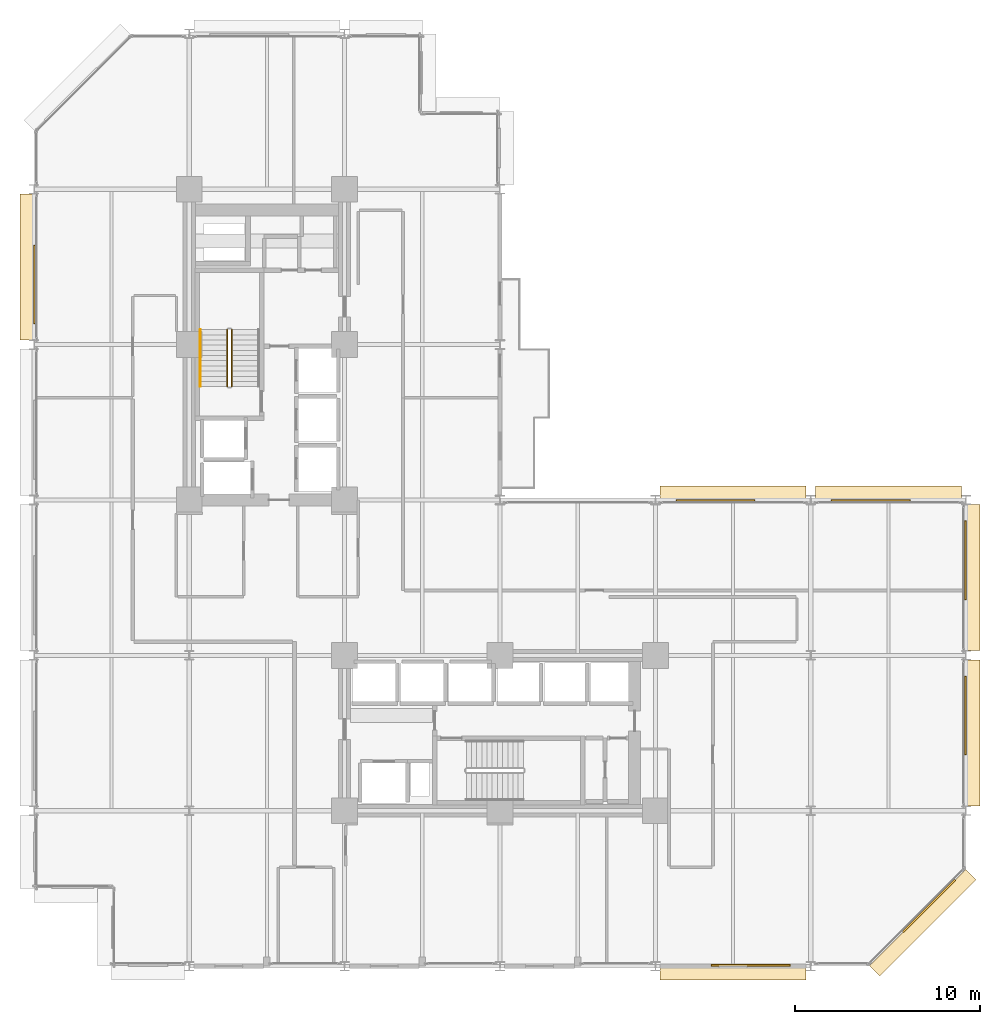
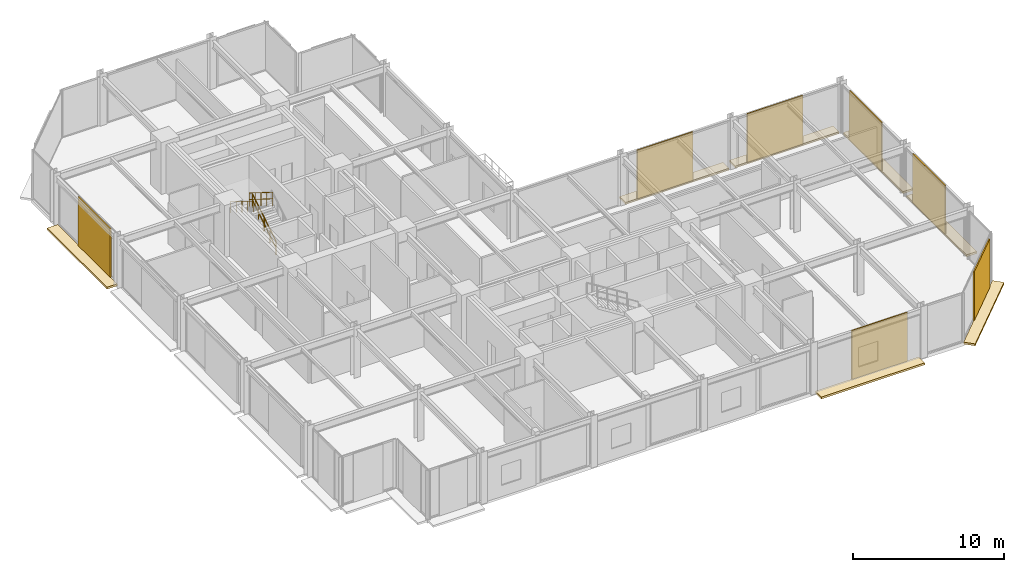
# One storey, part 24 of 25: 14 coverings, 3 railings.
"""IFC4 building model written with IfcOpenShell, lengths in metres."""

from ifc_helpers import new_model, si_unit, direction, frame, origin, origin_2d, place, context, subcontext, project, spatial, polyline, rectangle, circle, outline, extrude, material, layer, layer_set, type_object, element, save


model = new_model("IFC4")

# Units and contexts
model_context = context("Model", 3, precision=1e-05, world=origin(), true_north=direction((0.0, 1.0)))
body_context = subcontext(model_context, "Body", "Model", "MODEL_VIEW")
ifc_project = project(units=[si_unit("LENGTHUNIT", "METRE"), si_unit("AREAUNIT", "SQUARE_METRE"), si_unit("VOLUMEUNIT", "CUBIC_METRE"), si_unit("PLANEANGLEUNIT", "RADIAN"), si_unit("MASSUNIT", "GRAM", prefix="KILO")], contexts=[model_context])

# Site, building, storey
site_placement = place(None, origin())
site = spatial("IfcSite", under=ifc_project, at=site_placement, CompositionType="ELEMENT")
building_placement = place(site_placement, origin())
building = spatial("IfcBuilding", under=site, at=building_placement, Name="Nerrivon Quay Data Exchange", CompositionType="ELEMENT")
storey_placement = place(building_placement, frame((0.0, 0.0, 54.199951171875)))
storey = spatial("IfcBuildingStorey", under=building, at=storey_placement, Name="L12", CompositionType="ELEMENT", Elevation=54.199951171875)

# Coverings
ifc_material_1 = material(Name="Architectural terracotta ceramic", Category="masonry")
ifc_layer_1 = layer(ifc_material_1, 0.159912109375)
ifc_layer_set_1 = layer_set([ifc_layer_1], Name="Architectural terracotta ceramic")
covering_type_1 = type_object("IfcCoveringType", Name="COV-BLD-TERR", PredefinedType="CLADDING", material=ifc_layer_set_1)
covering_1_placement = place(storey_placement, frame((0.0, 0.0, -0.159912109375)))
element("IfcCovering", 1, at=covering_1_placement, inside=storey, type_object=covering_type_1, Name="L12 Horizontal Terracotta SOLAR SCREEN Blade", PredefinedType="CLADDING", context=body_context, shape_type="SweptSolid", body=[
    extrude(outline(polyline([(50.37158203125, 5.228271484375), (45.171630859375, 0.0283203125), (45.730224609375, -0.5302734375), (50.930419921875, 4.669677734375), (50.37158203125, 5.228271484375)])), origin(), (0.0, 0.0, 1.0), 0.159912109375),
])
covering_2_placement = place(storey_placement, frame((0.0, 0.0, -0.159912109375)))
element("IfcCovering", 2, at=covering_2_placement, inside=storey, type_object=covering_type_1, Name="L12 Horizontal Terracotta SOLAR SCREEN Blade", PredefinedType="CLADDING", context=body_context, shape_type="SweptSolid", body=[
    extrude(outline(polyline([(41.75, 0.0400390625), (33.85009765625, 0.0400390625), (33.85009765625, -0.75), (41.75, -0.75), (41.75, 0.0400390625)])), origin(), (0.0, 0.0, 1.0), 0.159912109375),
])
covering_3_placement = place(storey_placement, frame((0.0, 0.0, -0.159912109375)))
element("IfcCovering", 3, at=covering_3_placement, inside=storey, type_object=covering_type_1, Name="L12 Horizontal Terracotta SOLAR SCREEN Blade", PredefinedType="CLADDING", context=body_context, shape_type="SweptSolid", body=[
    extrude(outline(polyline([(0.0400390625, 33.85009765625), (0.0400390625, 41.75), (-0.75, 41.75), (-0.75, 33.85009765625), (0.0400390625, 33.85009765625)])), origin(), (0.0, 0.0, 1.0), 0.159912109375),
])
covering_4_placement = place(storey_placement, frame((0.0, 0.0, -0.159912109375)))
element("IfcCovering", 4, at=covering_4_placement, inside=storey, type_object=covering_type_1, Name="L12 Horizontal Terracotta SOLAR SCREEN Blade", PredefinedType="CLADDING", context=body_context, shape_type="SweptSolid", body=[
    extrude(outline(polyline([(33.85009765625, 25.159912109375), (41.75, 25.159912109375), (41.75, 25.949951171875), (33.85009765625, 25.949951171875), (33.85009765625, 25.159912109375)])), origin(), (0.0, 0.0, 1.0), 0.159912109375),
])
covering_5_placement = place(storey_placement, frame((0.0, 0.0, -0.159912109375)))
element("IfcCovering", 5, at=covering_5_placement, inside=storey, type_object=covering_type_1, Name="L12 Horizontal Terracotta SOLAR SCREEN Blade", PredefinedType="CLADDING", context=body_context, shape_type="SweptSolid", body=[
    extrude(outline(polyline([(42.25, 25.159912109375), (50.14990234375, 25.159912109375), (50.14990234375, 25.949951171875), (42.25, 25.949951171875), (42.25, 25.159912109375)])), origin(), (0.0, 0.0, 1.0), 0.159912109375),
])
covering_6_placement = place(storey_placement, frame((0.0, 0.0, -0.159912109375)))
element("IfcCovering", 6, at=covering_6_placement, inside=storey, type_object=covering_type_1, Name="L12 Horizontal Terracotta SOLAR SCREEN Blade", PredefinedType="CLADDING", context=body_context, shape_type="SweptSolid", body=[
    extrude(outline(polyline([(50.360107421875, 24.949951171875), (50.360107421875, 17.050048828125), (51.14990234375, 17.050048828125), (51.14990234375, 24.949951171875), (50.360107421875, 24.949951171875)])), origin(), (0.0, 0.0, 1.0), 0.159912109375),
])
covering_7_placement = place(storey_placement, frame((0.0, 0.0, -0.159912109375)))
element("IfcCovering", 7, at=covering_7_placement, inside=storey, type_object=covering_type_1, Name="L12 Horizontal Terracotta SOLAR SCREEN Blade", PredefinedType="CLADDING", context=body_context, shape_type="SweptSolid", body=[
    extrude(outline(polyline([(50.360107421875, 16.550048828125), (50.360107421875, 8.64990234375), (51.14990234375, 8.64990234375), (51.14990234375, 16.550048828125), (50.360107421875, 16.550048828125)])), origin(), (0.0, 0.0, 1.0), 0.159912109375),
])
ifc_layer_2 = layer(ifc_material_1, 0.090087890625)
ifc_layer_set_2 = layer_set([ifc_layer_2], Name="Architectural terracotta ceramic")
covering_type_2 = type_object("IfcCoveringType", Name="COV-SCR-TERR", PredefinedType="CLADDING", material=ifc_layer_set_2)
covering_8_placement = place(storey_placement, frame((48.39208984375, 3.255859375, 0.0), z_axis=(0.0, 0.0, 1.0), x_axis=(-0.707106781187, -0.707106781187, 0.0)))
element("IfcCovering", 8, at=covering_8_placement, inside=storey, type_object=covering_type_2, Name="L12 Perforated Terracotta SOLAR SCREEN Cassette", PredefinedType="CLADDING", context=body_context, shape_type="SweptSolid", body=[
    extrude(rectangle(XDim=3.970947265625, YDim=0.090087890625, at=origin_2d()), origin(), (0.0, 0.0, 1.0), 3.925048828125),
])
for number, where, z_axis, x_axis, name in (
    (9, (38.748046875, 0.044921875, 0.0), (0.0, 0.0, 1.0), (-1.0, 0.0, 0.0), "L12 Perforated Terracotta SOLAR SCREEN Cassette"),
    (10, (0.044921875, 36.85205078125, 0.0), (0.0, 0.0, 1.0), (0.0, 1.0, 0.0), "L12 Perforated Terracotta SOLAR SCREEN Cassette"),
    (11, (36.85205078125, 25.155029296875, 0.0), (0.0, 0.0, 1.0), (1.0, 0.0, 0.0), "L12 Perforated Terracotta SOLAR SCREEN Cassette"),
    (12, (45.251953125, 25.155029296875, 0.0), (0.0, 0.0, 1.0), (1.0, 0.0, 0.0), "L12 Perforated Terracotta SOLAR SCREEN Cassette"),
    (13, (50.35498046875, 21.947998046875, 0.0), (0.0, 0.0, 1.0), (0.0, -1.0, 0.0), "L12 Perforated Terracotta SOLAR SCREEN Cassette"),
    (14, (50.35498046875, 13.548095703125, 0.0), (0.0, 0.0, 1.0), (0.0, -1.0, 0.0), "L12 Perforated Terracotta SOLAR SCREEN Cassette"),
):
    element("IfcCovering", number, at=place(storey_placement, frame(where, z_axis=z_axis, x_axis=x_axis)), inside=storey, type_object=covering_type_2, Name=name, PredefinedType="CLADDING", context=body_context, shape_type="SweptSolid", body=[
        extrude(rectangle(XDim=4.26611328125, YDim=0.090087890625, at=origin_2d()), origin(), (0.0, 0.0, 1.0), 3.925048828125),
    ])

# Railings
ifc_material_2 = material(Name="Steel Grade C350L0 (350 MPa)", Category="steel")
railing_type_1 = type_object("IfcRailingType", Name="RAIL-HAND-HR1", PredefinedType="HANDRAIL", material=ifc_material_2)
railing_1_placement = place(storey_placement, frame((9.0, 34.409912109375, 2.275146484375)))
element("IfcRailing", 15, at=railing_1_placement, inside=storey, type_object=railing_type_1, Name="L12 ST01 stair handrail 2", PredefinedType="HANDRAIL", context=body_context, shape_type="SweptSolid", body=[
    extrude(circle(Radius=0.02392578125, at=origin_2d()), frame((0.0, 0.0, 0.8759765625), z_axis=(0.0, -0.848009633417, 0.529980812513), x_axis=(1.0, 0.0, 0.0)), (0.0, 0.0, 1.0), 3.6318359375),
    extrude(circle(Radius=0.02099609375, at=origin_2d()), origin(), (0.0, 0.0, 1.0), 0.851806640625),
    extrude(circle(Radius=0.02099609375, at=origin_2d()), frame((0.0, -0.77001953125, 0.481201171875)), (0.0, 0.0, 1.0), 0.851806640625),
    extrude(circle(Radius=0.02099609375, at=origin_2d()), frame((0.0, -1.5400390625, 0.96240234375)), (0.0, 0.0, 1.0), 0.851806640625),
    extrude(circle(Radius=0.02099609375, at=origin_2d()), frame((0.0, -2.309814453125, 1.443603515625)), (0.0, 0.0, 1.0), 0.851806640625),
    extrude(circle(Radius=0.02099609375, at=origin_2d()), frame((0.0, -3.079833984375, 1.9248046875)), (0.0, 0.0, 1.0), 0.851806640625),
])
railing_type_2 = type_object("IfcRailingType", Name="RAIL-STAIR-GR1", PredefinedType="BALUSTRADE", material=ifc_material_2)
railing_2_placement = place(storey_placement, frame((10.699951171875, 31.330078125, 0.175048828125)))
element("IfcRailing", 16, at=railing_2_placement, inside=storey, type_object=railing_type_2, Name="L12 ST01 stair guard 1", PredefinedType="BALUSTRADE", context=body_context, shape_type="SweptSolid", body=[
    extrude(circle(Radius=0.02392578125, at=origin_2d()), frame((0.0, 0.0, 1.076171875), z_axis=(0.0, 0.847979421464, 0.530029150871), x_axis=(-1.0, 0.0, 0.0)), (0.0, 0.0, 1.0), 3.632080078125),
    extrude(circle(Radius=0.02392578125, at=origin_2d()), frame((0.0, 0.0, 0.550048828125), z_axis=(0.0, 0.847979421464, 0.530029150871), x_axis=(-1.0, 0.0, 0.0)), (0.0, 0.0, 1.0), 3.632080078125),
    extrude(circle(Radius=0.02099609375, at=origin_2d()), origin(), (0.0, 0.0, 1.0), 1.052001953125),
    extrude(circle(Radius=0.02099609375, at=origin_2d()), frame((0.0, 0.77001953125, 0.481201171875)), (0.0, 0.0, 1.0), 1.052001953125),
    extrude(circle(Radius=0.02099609375, at=origin_2d()), frame((0.0, 1.5400390625, 0.96240234375)), (0.0, 0.0, 1.0), 1.052001953125),
    extrude(circle(Radius=0.02099609375, at=origin_2d()), frame((0.0, 2.309814453125, 1.44384765625)), (0.0, 0.0, 1.0), 1.052001953125),
    extrude(circle(Radius=0.02099609375, at=origin_2d()), frame((0.0, 3.079833984375, 1.925048828125)), (0.0, 0.0, 1.0), 1.052001953125),
])
railing_3_placement = place(storey_placement, frame((10.449951171875, 34.409912109375, 2.275146484375)))
element("IfcRailing", 17, at=railing_3_placement, inside=storey, type_object=railing_type_2, Name="L12 ST01 stair guard 3", PredefinedType="BALUSTRADE", context=body_context, shape_type="SweptSolid", body=[
    extrude(circle(Radius=0.02392578125, at=origin_2d()), frame((0.0, 0.0, 1.076171875), z_axis=(0.0, -0.848009633417, 0.529980812513), x_axis=(1.0, 0.0, 0.0)), (0.0, 0.0, 1.0), 3.6318359375),
    extrude(circle(Radius=0.02392578125, at=origin_2d()), frame((0.0, 0.0, 0.550048828125), z_axis=(0.0, -0.848009633417, 0.529980812513), x_axis=(1.0, 0.0, 0.0)), (0.0, 0.0, 1.0), 3.6318359375),
    extrude(circle(Radius=0.02099609375, at=origin_2d()), origin(), (0.0, 0.0, 1.0), 1.052001953125),
    extrude(circle(Radius=0.02099609375, at=origin_2d()), frame((0.0, -0.77001953125, 0.481201171875)), (0.0, 0.0, 1.0), 1.052001953125),
    extrude(circle(Radius=0.02099609375, at=origin_2d()), frame((0.0, -1.5400390625, 0.96240234375)), (0.0, 0.0, 1.0), 1.052001953125),
    extrude(circle(Radius=0.02099609375, at=origin_2d()), frame((0.0, -2.309814453125, 1.443603515625)), (0.0, 0.0, 1.0), 1.052001953125),
    extrude(circle(Radius=0.02099609375, at=origin_2d()), frame((0.0, -3.079833984375, 1.9248046875)), (0.0, 0.0, 1.0), 1.052001953125),
])

save(model, "model.ifc")
